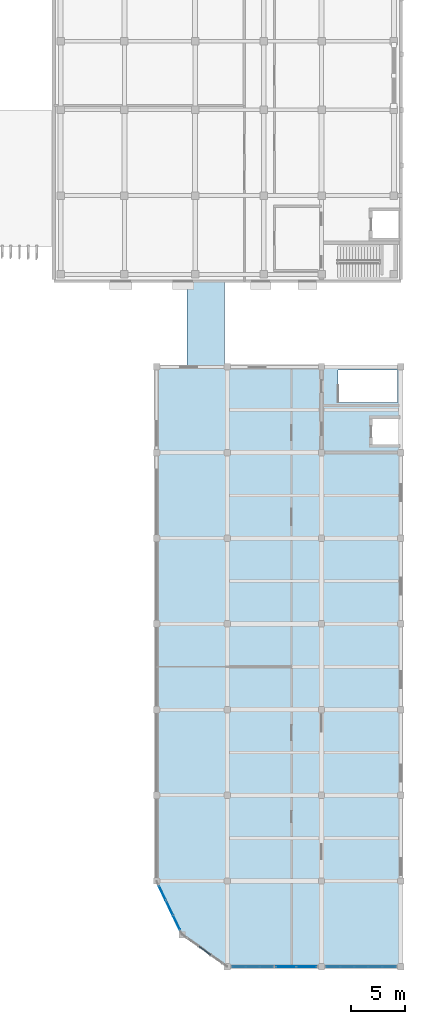
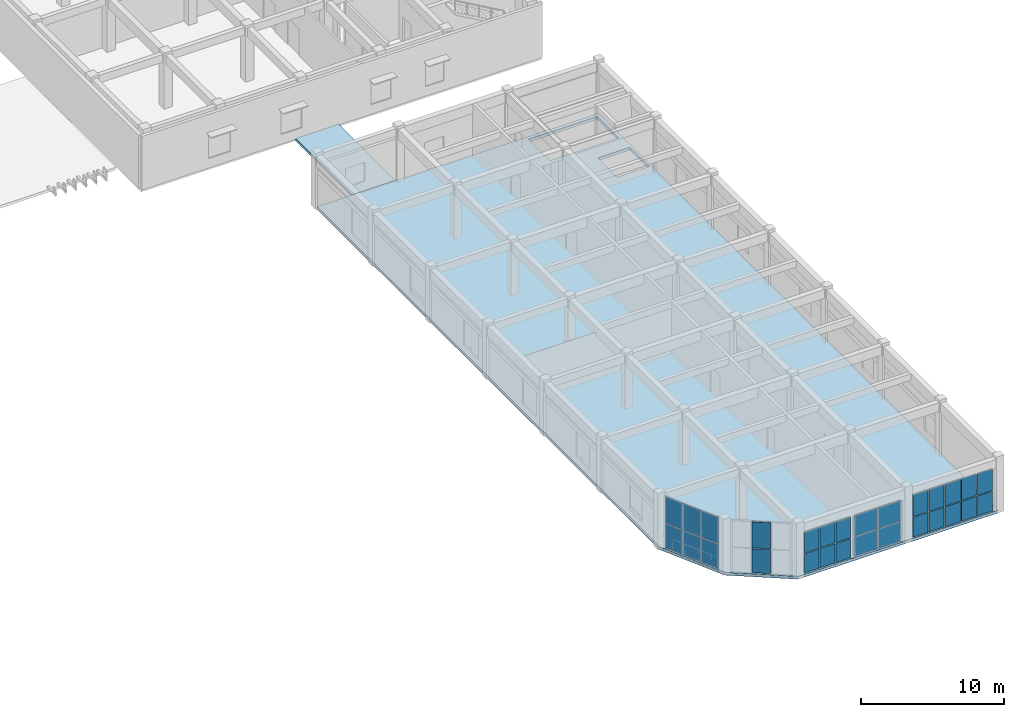
# One storey, part 47 of 76: 28 plates, 2 slabs, 5 elements without a shape of their own.
"""IFC4 building model written with IfcOpenShell, lengths in metres."""

from ifc_helpers import new_model, si_unit, direction, frame, origin, origin_2d, place, context, subcontext, project, spatial, polyline, rectangle, outline, extrude, material, layer, layer_set, type_object, element, aggregate, save


model = new_model("IFC4")

# Units and contexts
model_context = context("Model", 3, precision=1e-05, world=origin(), true_north=direction((0.0, 1.0)))
body_context = subcontext(model_context, "Body", "Model", "MODEL_VIEW")
ifc_project = project(units=[si_unit("LENGTHUNIT", "METRE"), si_unit("AREAUNIT", "SQUARE_METRE"), si_unit("VOLUMEUNIT", "CUBIC_METRE"), si_unit("PLANEANGLEUNIT", "RADIAN"), si_unit("MASSUNIT", "GRAM", prefix="KILO")], contexts=[model_context])

# Site, building, storey
site_placement = place(None, origin())
site = spatial("IfcSite", under=ifc_project, at=site_placement, CompositionType="ELEMENT")
building_placement = place(site_placement, origin())
building = spatial("IfcBuilding", under=site, at=building_placement, Name="Cinchona Park Media Centre", CompositionType="ELEMENT")
storey_placement = place(building_placement, frame((0.0, 0.0, 15.60009765625)))
storey = spatial("IfcBuildingStorey", under=building, at=storey_placement, Name="L03", CompositionType="ELEMENT", Elevation=15.60009765625)

# Curtain wall, plates
ifc_material_1 = material(Name="Aluminium Curtain Wall Framing", Category="aluminium")
ifc_layer_1 = layer(ifc_material_1, 0.284912109375)
ifc_layer_set_1 = layer_set([ifc_layer_1], Name="Aluminium Curtain Wall Framing")
curtain_wall_type_1 = type_object("IfcCurtainWallType", Name="CW-CW08", PredefinedType="USERDEFINED", material=ifc_layer_set_1)
curtain_wall_1_placement = place(storey_placement, origin())
curtain_wall_1 = element("IfcCurtainWall", 1, at=curtain_wall_1_placement, inside=storey, type_object=curtain_wall_type_1, Name="Curtain Wall CW08 L03", ObjectType="UNITISED CURTAIN WALL", PredefinedType="USERDEFINED")
ifc_material_2 = material(Name="Laminated Solar-Control Double Glazing", Category="glass")
ifc_layer_2 = layer(ifc_material_2, 0.050048828125)
ifc_layer_set_2 = layer_set([ifc_layer_2], Name="Laminated Solar-Control Double Glazing")
plate_type_1 = type_object("IfcPlateType", Name="CWPANEL-PNL04", PredefinedType="CURTAIN_PANEL", material=ifc_layer_set_2)
plate_1_placement = place(storey_placement, frame((151.059814453125, 11.725830078125, 0.1201171875), z_axis=(0.0, 0.0, 1.0), x_axis=(-0.432801347319, 0.901489319825, 0.0)))
plate_1 = element("IfcPlate", 2, at=plate_1_placement, type_object=plate_type_1, Name="CW08 panel 1.1", PredefinedType="CURTAIN_PANEL", context=body_context, shape_type="SweptSolid", body=[
    extrude(rectangle(XDim=1.43701171875, YDim=0.050048828125, at=origin_2d()), origin(), (0.0, 0.0, 1.0), 2.056884765625),
])
plate_2_placement = place(storey_placement, frame((151.059814453125, 11.725830078125, 2.2470703125), z_axis=(0.0, 0.0, 1.0), x_axis=(-0.432801347319, 0.901489319825, 0.0)))
plate_2 = element("IfcPlate", 3, at=plate_2_placement, type_object=plate_type_1, Name="CW08 panel 1.2", PredefinedType="CURTAIN_PANEL", context=body_context, shape_type="SweptSolid", body=[
    extrude(rectangle(XDim=1.43701171875, YDim=0.050048828125, at=origin_2d()), origin(), (0.0, 0.0, 1.0), 2.238037109375),
])
plate_3_placement = place(storey_placement, frame((150.39990234375, 13.10009765625, 0.1201171875), z_axis=(0.0, 0.0, 1.0), x_axis=(-0.432801347319, 0.901489319825, 0.0)))
plate_3 = element("IfcPlate", 4, at=plate_3_placement, type_object=plate_type_1, Name="CW08 panel 2.1", PredefinedType="CURTAIN_PANEL", context=body_context, shape_type="SweptSolid", body=[
    extrude(rectangle(XDim=1.471923828125, YDim=0.050048828125, at=origin_2d()), origin(), (0.0, 0.0, 1.0), 2.056884765625),
])
plate_4_placement = place(storey_placement, frame((150.39990234375, 13.10009765625, 2.2470703125), z_axis=(0.0, 0.0, 1.0), x_axis=(-0.432801347319, 0.901489319825, 0.0)))
plate_4 = element("IfcPlate", 5, at=plate_4_placement, type_object=plate_type_1, Name="CW08 panel 2.2", PredefinedType="CURTAIN_PANEL", context=body_context, shape_type="SweptSolid", body=[
    extrude(rectangle(XDim=1.471923828125, YDim=0.050048828125, at=origin_2d()), origin(), (0.0, 0.0, 1.0), 2.238037109375),
])
plate_5_placement = place(storey_placement, frame((149.740234375, 14.47412109375, 0.1201171875), z_axis=(0.0, 0.0, 1.0), x_axis=(-0.432801347319, 0.901489319825, 0.0)))
plate_5 = element("IfcPlate", 6, at=plate_5_placement, type_object=plate_type_1, Name="CW08 panel 3.1", PredefinedType="CURTAIN_PANEL", context=body_context, shape_type="SweptSolid", body=[
    extrude(rectangle(XDim=1.43701171875, YDim=0.050048828125, at=origin_2d()), origin(), (0.0, 0.0, 1.0), 2.056884765625),
])
plate_6_placement = place(storey_placement, frame((149.740234375, 14.47412109375, 2.2470703125), z_axis=(0.0, 0.0, 1.0), x_axis=(-0.432801347319, 0.901489319825, 0.0)))
plate_6 = element("IfcPlate", 7, at=plate_6_placement, type_object=plate_type_1, Name="CW08 panel 3.2", PredefinedType="CURTAIN_PANEL", context=body_context, shape_type="SweptSolid", body=[
    extrude(rectangle(XDim=1.43701171875, YDim=0.050048828125, at=origin_2d()), origin(), (0.0, 0.0, 1.0), 2.238037109375),
])
aggregate(curtain_wall_1, [plate_1, plate_2, plate_3, plate_4, plate_5, plate_6])

ifc_material_3 = material(Name="Aluminium Curtain Wall Framing", Category="aluminium")
ifc_layer_3 = layer(ifc_material_3, 0.300048828125)
ifc_layer_set_3 = layer_set([ifc_layer_3], Name="Aluminium Curtain Wall Framing")
curtain_wall_type_2 = type_object("IfcCurtainWallType", Name="CW-CW09", PredefinedType="USERDEFINED", material=ifc_layer_set_3)
curtain_wall_2_placement = place(storey_placement, origin())
curtain_wall_2 = element("IfcCurtainWall", 8, at=curtain_wall_2_placement, inside=storey, type_object=curtain_wall_type_2, Name="Curtain Wall CW09 L03", ObjectType="UNITISED CURTAIN WALL", PredefinedType="USERDEFINED")
ifc_material_4 = material(Name="Laminated Solar-Control Double Glazing", Category="glass")
ifc_layer_4 = layer(ifc_material_4, 0.06005859375)
ifc_layer_set_4 = layer_set([ifc_layer_4], Name="Laminated Solar-Control Double Glazing")
plate_type_2 = type_object("IfcPlateType", Name="CWPANEL-PNL05", PredefinedType="CURTAIN_PANEL", material=ifc_layer_set_4)
plate_7_placement = place(storey_placement, frame((163.186279296875, 7.60009765625, 0.124755859375), z_axis=(0.0, 0.0, 1.0), x_axis=(-1.0, 0.0, 0.0)))
plate_7 = element("IfcPlate", 9, at=plate_7_placement, type_object=plate_type_2, Name="CW09 panel 1.1", PredefinedType="CURTAIN_PANEL", context=body_context, shape_type="SweptSolid", body=[
    extrude(rectangle(XDim=1.83740234375, YDim=0.06005859375, at=origin_2d()), origin(), (0.0, 0.0, 1.0), 1.6416015625),
])
plate_8_placement = place(storey_placement, frame((163.186279296875, 7.60009765625, 1.84130859375), z_axis=(0.0, 0.0, 1.0), x_axis=(-1.0, 0.0, 0.0)))
plate_8 = element("IfcPlate", 10, at=plate_8_placement, type_object=plate_type_2, Name="CW09 panel 1.2", PredefinedType="CURTAIN_PANEL", context=body_context, shape_type="SweptSolid", body=[
    extrude(rectangle(XDim=1.83740234375, YDim=0.06005859375, at=origin_2d()), origin(), (0.0, 0.0, 1.0), 1.78857421875),
])
plate_9_placement = place(storey_placement, frame((161.273681640625, 7.60009765625, 0.124755859375), z_axis=(0.0, 0.0, 1.0), x_axis=(-1.0, 0.0, 0.0)))
plate_9 = element("IfcPlate", 11, at=plate_9_placement, type_object=plate_type_2, Name="CW09 panel 2.1", PredefinedType="CURTAIN_PANEL", context=body_context, shape_type="SweptSolid", body=[
    extrude(rectangle(XDim=1.83740234375, YDim=0.06005859375, at=origin_2d()), origin(), (0.0, 0.0, 1.0), 1.6416015625),
])
plate_10_placement = place(storey_placement, frame((161.273681640625, 7.60009765625, 1.84130859375), z_axis=(0.0, 0.0, 1.0), x_axis=(-1.0, 0.0, 0.0)))
plate_10 = element("IfcPlate", 12, at=plate_10_placement, type_object=plate_type_2, Name="CW09 panel 2.2", PredefinedType="CURTAIN_PANEL", context=body_context, shape_type="SweptSolid", body=[
    extrude(rectangle(XDim=1.83740234375, YDim=0.06005859375, at=origin_2d()), origin(), (0.0, 0.0, 1.0), 1.78857421875),
])
aggregate(curtain_wall_2, [plate_7, plate_8, plate_9, plate_10])

ifc_material_5 = material(Name="Aluminium Curtain Wall Framing", Category="aluminium")
ifc_layer_5 = layer(ifc_material_5, 0.179931640625)
ifc_layer_set_5 = layer_set([ifc_layer_5], Name="Aluminium Curtain Wall Framing")
curtain_wall_type_3 = type_object("IfcCurtainWallType", Name="CW-CW01", PredefinedType="USERDEFINED", material=ifc_layer_set_5)
curtain_wall_3_placement = place(storey_placement, origin())
curtain_wall_3 = element("IfcCurtainWall", 13, at=curtain_wall_3_placement, inside=storey, type_object=curtain_wall_type_3, Name="Curtain Wall CW01 L03", ObjectType="UNITISED CURTAIN WALL", PredefinedType="USERDEFINED")
ifc_material_6 = material(Name="Laminated Solar-Control Double Glazing", Category="glass")
ifc_layer_6 = layer(ifc_material_6, 0.080078125)
ifc_layer_set_6 = layer_set([ifc_layer_6], Name="Laminated Solar-Control Double Glazing")
plate_type_3 = type_object("IfcPlateType", Name="CWPANEL-PNL07", PredefinedType="CURTAIN_PANEL", material=ifc_layer_set_6)
plate_11_placement = place(storey_placement, frame((159.451171875, 7.60009765625, 0.124755859375), z_axis=(0.0, 0.0, 1.0), x_axis=(-1.0, 0.0, 0.0)))
plate_11 = element("IfcPlate", 14, at=plate_11_placement, type_object=plate_type_3, Name="CW01 panel 1.1", PredefinedType="CURTAIN_PANEL", context=body_context, shape_type="SweptSolid", body=[
    extrude(rectangle(XDim=1.1875, YDim=0.080078125, at=origin_2d()), origin(), (0.0, 0.0, 1.0), 1.6416015625),
])
plate_12_placement = place(storey_placement, frame((159.451171875, 7.60009765625, 1.84130859375), z_axis=(0.0, 0.0, 1.0), x_axis=(-1.0, 0.0, 0.0)))
plate_12 = element("IfcPlate", 15, at=plate_12_placement, type_object=plate_type_3, Name="CW01 panel 1.2", PredefinedType="CURTAIN_PANEL", context=body_context, shape_type="SweptSolid", body=[
    extrude(rectangle(XDim=1.1875, YDim=0.080078125, at=origin_2d()), origin(), (0.0, 0.0, 1.0), 1.78857421875),
])
plate_13_placement = place(storey_placement, frame((158.169921875, 7.60009765625, 0.124755859375), z_axis=(0.0, 0.0, 1.0), x_axis=(-1.0, 0.0, 0.0)))
plate_13 = element("IfcPlate", 16, at=plate_13_placement, type_object=plate_type_3, Name="CW01 panel 2.1", PredefinedType="CURTAIN_PANEL", context=body_context, shape_type="SweptSolid", body=[
    extrude(rectangle(XDim=1.22509765625, YDim=0.080078125, at=origin_2d()), origin(), (0.0, 0.0, 1.0), 1.6416015625),
])
plate_14_placement = place(storey_placement, frame((158.169921875, 7.60009765625, 1.84130859375), z_axis=(0.0, 0.0, 1.0), x_axis=(-1.0, 0.0, 0.0)))
plate_14 = element("IfcPlate", 17, at=plate_14_placement, type_object=plate_type_3, Name="CW01 panel 2.2", PredefinedType="CURTAIN_PANEL", context=body_context, shape_type="SweptSolid", body=[
    extrude(rectangle(XDim=1.22509765625, YDim=0.080078125, at=origin_2d()), origin(), (0.0, 0.0, 1.0), 1.78857421875),
])
plate_15_placement = place(storey_placement, frame((156.888671875, 7.60009765625, 0.124755859375), z_axis=(0.0, 0.0, 1.0), x_axis=(-1.0, 0.0, 0.0)))
plate_15 = element("IfcPlate", 18, at=plate_15_placement, type_object=plate_type_3, Name="CW01 panel 3.1", PredefinedType="CURTAIN_PANEL", context=body_context, shape_type="SweptSolid", body=[
    extrude(rectangle(XDim=1.1875, YDim=0.080078125, at=origin_2d()), origin(), (0.0, 0.0, 1.0), 1.6416015625),
])
plate_16_placement = place(storey_placement, frame((156.888671875, 7.60009765625, 1.84130859375), z_axis=(0.0, 0.0, 1.0), x_axis=(-1.0, 0.0, 0.0)))
plate_16 = element("IfcPlate", 19, at=plate_16_placement, type_object=plate_type_3, Name="CW01 panel 3.2", PredefinedType="CURTAIN_PANEL", context=body_context, shape_type="SweptSolid", body=[
    extrude(rectangle(XDim=1.1875, YDim=0.080078125, at=origin_2d()), origin(), (0.0, 0.0, 1.0), 1.78857421875),
])
aggregate(curtain_wall_3, [plate_11, plate_12, plate_13, plate_14, plate_15, plate_16])

ifc_material_7 = material(Name="Aluminium Curtain Wall Framing", Category="aluminium")
ifc_layer_7 = layer(ifc_material_7, 0.195068359375)
ifc_layer_set_7 = layer_set([ifc_layer_7], Name="Aluminium Curtain Wall Framing")
curtain_wall_type_4 = type_object("IfcCurtainWallType", Name="CW-CW02", PredefinedType="USERDEFINED", material=ifc_layer_set_7)
curtain_wall_4_placement = place(storey_placement, origin())
curtain_wall_4 = element("IfcCurtainWall", 20, at=curtain_wall_4_placement, inside=storey, type_object=curtain_wall_type_4, Name="Curtain Wall CW02 L03", ObjectType="UNITISED CURTAIN WALL", PredefinedType="USERDEFINED")
ifc_material_8 = material(Name="Insulated Acoustic Aluminium-Glass Spandrel Cassette", Category="aluminium")
ifc_layer_8 = layer(ifc_material_8, 0.090087890625)
ifc_layer_set_8 = layer_set([ifc_layer_8], Name="Insulated Acoustic Aluminium-Glass Spandrel Cassette")
plate_type_4 = type_object("IfcPlateType", Name="CWPANEL-PNL08", PredefinedType="CURTAIN_PANEL", material=ifc_layer_set_8)
plate_17_placement = place(storey_placement, frame((170.906494140625, 7.60009765625, 0.1201171875), z_axis=(0.0, 0.0, 1.0), x_axis=(-1.0, 0.0, 0.0)))
plate_17 = element("IfcPlate", 21, at=plate_17_placement, type_object=plate_type_4, Name="CW02 panel 1.1", PredefinedType="CURTAIN_PANEL", context=body_context, shape_type="SweptSolid", body=[
    extrude(rectangle(XDim=1.20703125, YDim=0.090087890625, at=origin_2d()), origin(), (0.0, 0.0, 1.0), 1.697021484375),
])
plate_18_placement = place(storey_placement, frame((170.906494140625, 7.60009765625, 1.88671875), z_axis=(0.0, 0.0, 1.0), x_axis=(-1.0, 0.0, 0.0)))
plate_18 = element("IfcPlate", 22, at=plate_18_placement, type_object=plate_type_4, Name="CW02 panel 1.2", PredefinedType="CURTAIN_PANEL", context=body_context, shape_type="SweptSolid", body=[
    extrude(rectangle(XDim=1.20703125, YDim=0.090087890625, at=origin_2d()), origin(), (0.0, 0.0, 1.0), 1.847900390625),
])
plate_19_placement = place(storey_placement, frame((169.612060546875, 7.60009765625, 0.1201171875), z_axis=(0.0, 0.0, 1.0), x_axis=(-1.0, 0.0, 0.0)))
plate_19 = element("IfcPlate", 23, at=plate_19_placement, type_object=plate_type_4, Name="CW02 panel 2.1", PredefinedType="CURTAIN_PANEL", context=body_context, shape_type="SweptSolid", body=[
    extrude(rectangle(XDim=1.241943359375, YDim=0.090087890625, at=origin_2d()), origin(), (0.0, 0.0, 1.0), 1.697021484375),
])
plate_20_placement = place(storey_placement, frame((169.612060546875, 7.60009765625, 1.88671875), z_axis=(0.0, 0.0, 1.0), x_axis=(-1.0, 0.0, 0.0)))
plate_20 = element("IfcPlate", 24, at=plate_20_placement, type_object=plate_type_4, Name="CW02 panel 2.2", PredefinedType="CURTAIN_PANEL", context=body_context, shape_type="SweptSolid", body=[
    extrude(rectangle(XDim=1.241943359375, YDim=0.090087890625, at=origin_2d()), origin(), (0.0, 0.0, 1.0), 1.847900390625),
])
plate_21_placement = place(storey_placement, frame((168.300048828125, 7.60009765625, 0.1201171875), z_axis=(0.0, 0.0, 1.0), x_axis=(-1.0, 0.0, 0.0)))
plate_21 = element("IfcPlate", 25, at=plate_21_placement, type_object=plate_type_4, Name="CW02 panel 3.1", PredefinedType="CURTAIN_PANEL", context=body_context, shape_type="SweptSolid", body=[
    extrude(rectangle(XDim=1.241943359375, YDim=0.090087890625, at=origin_2d()), origin(), (0.0, 0.0, 1.0), 1.697021484375),
])
plate_22_placement = place(storey_placement, frame((168.300048828125, 7.60009765625, 1.88671875), z_axis=(0.0, 0.0, 1.0), x_axis=(-1.0, 0.0, 0.0)))
plate_22 = element("IfcPlate", 26, at=plate_22_placement, type_object=plate_type_4, Name="CW02 panel 3.2", PredefinedType="CURTAIN_PANEL", context=body_context, shape_type="SweptSolid", body=[
    extrude(rectangle(XDim=1.241943359375, YDim=0.090087890625, at=origin_2d()), origin(), (0.0, 0.0, 1.0), 1.847900390625),
])
plate_23_placement = place(storey_placement, frame((166.988037109375, 7.60009765625, 0.1201171875), z_axis=(0.0, 0.0, 1.0), x_axis=(-1.0, 0.0, 0.0)))
plate_23 = element("IfcPlate", 27, at=plate_23_placement, type_object=plate_type_4, Name="CW02 panel 4.1", PredefinedType="CURTAIN_PANEL", context=body_context, shape_type="SweptSolid", body=[
    extrude(rectangle(XDim=1.241943359375, YDim=0.090087890625, at=origin_2d()), origin(), (0.0, 0.0, 1.0), 1.697021484375),
])
plate_24_placement = place(storey_placement, frame((166.988037109375, 7.60009765625, 1.88671875), z_axis=(0.0, 0.0, 1.0), x_axis=(-1.0, 0.0, 0.0)))
plate_24 = element("IfcPlate", 28, at=plate_24_placement, type_object=plate_type_4, Name="CW02 panel 4.2", PredefinedType="CURTAIN_PANEL", context=body_context, shape_type="SweptSolid", body=[
    extrude(rectangle(XDim=1.241943359375, YDim=0.090087890625, at=origin_2d()), origin(), (0.0, 0.0, 1.0), 1.847900390625),
])
plate_25_placement = place(storey_placement, frame((165.693603515625, 7.60009765625, 0.1201171875), z_axis=(0.0, 0.0, 1.0), x_axis=(-1.0, 0.0, 0.0)))
plate_25 = element("IfcPlate", 29, at=plate_25_placement, type_object=plate_type_4, Name="CW02 panel 5.1", PredefinedType="CURTAIN_PANEL", context=body_context, shape_type="SweptSolid", body=[
    extrude(rectangle(XDim=1.20703125, YDim=0.090087890625, at=origin_2d()), origin(), (0.0, 0.0, 1.0), 1.697021484375),
])
plate_26_placement = place(storey_placement, frame((165.693603515625, 7.60009765625, 1.88671875), z_axis=(0.0, 0.0, 1.0), x_axis=(-1.0, 0.0, 0.0)))
plate_26 = element("IfcPlate", 30, at=plate_26_placement, type_object=plate_type_4, Name="CW02 panel 5.2", PredefinedType="CURTAIN_PANEL", context=body_context, shape_type="SweptSolid", body=[
    extrude(rectangle(XDim=1.20703125, YDim=0.090087890625, at=origin_2d()), origin(), (0.0, 0.0, 1.0), 1.847900390625),
])
aggregate(curtain_wall_4, [plate_17, plate_18, plate_19, plate_20, plate_21, plate_22, plate_23, plate_24, plate_25, plate_26])

ifc_material_9 = material(Name="Aluminium Curtain Wall Framing", Category="aluminium")
ifc_layer_9 = layer(ifc_material_9, 0.2099609375)
ifc_layer_set_9 = layer_set([ifc_layer_9], Name="Aluminium Curtain Wall Framing")
curtain_wall_type_5 = type_object("IfcCurtainWallType", Name="CW-CW03", PredefinedType="USERDEFINED", material=ifc_layer_set_9)
curtain_wall_5_placement = place(storey_placement, origin())
curtain_wall_5 = element("IfcCurtainWall", 31, at=curtain_wall_5_placement, inside=storey, type_object=curtain_wall_type_5, Name="Curtain Wall CW03 L03", ObjectType="UNITISED CURTAIN WALL", PredefinedType="USERDEFINED")
plate_27_placement = place(storey_placement, frame((153.699951171875, 9.10009765625, 0.125), z_axis=(0.0, 0.0, 1.0), x_axis=(-0.813604858776, 0.581418209016, 0.0)))
plate_27 = element("IfcPlate", 32, at=plate_27_placement, type_object=plate_type_4, Name="CW03 panel 2.1", PredefinedType="CURTAIN_PANEL", context=body_context, shape_type="SweptSolid", body=[
    extrude(rectangle(XDim=1.326171875, YDim=0.090087890625, at=origin_2d()), origin(), (0.0, 0.0, 1.0), 2.049560546875),
])
plate_28_placement = place(storey_placement, frame((153.699951171875, 9.10009765625, 2.24951171875), z_axis=(0.0, 0.0, 1.0), x_axis=(-0.813604858776, 0.581418209016, 0.0)))
plate_28 = element("IfcPlate", 33, at=plate_28_placement, type_object=plate_type_4, Name="CW03 panel 2.2", PredefinedType="CURTAIN_PANEL", context=body_context, shape_type="SweptSolid", body=[
    extrude(rectangle(XDim=1.326171875, YDim=0.090087890625, at=origin_2d()), origin(), (0.0, 0.0, 1.0), 2.23046875),
])
aggregate(curtain_wall_5, [plate_27, plate_28])

# Slabs
ifc_material_10 = material(Name="Concrete C35/45", Category="concrete")
ifc_layer_10 = layer(ifc_material_10, 0.195068359375)
ifc_layer_set_10 = layer_set([ifc_layer_10], Name="Concrete C35/45")
slab_type_1 = type_object("IfcSlabType", Name="SLAB-RS03-195", PredefinedType="ROOF", material=ifc_layer_set_10)
slab_1_placement = place(storey_placement, frame((0.0, 0.0, -0.195068359375)))
element("IfcSlab", 34, at=slab_1_placement, inside=storey, type_object=slab_type_1, Name="Skybridge Roof Slab SB2", PredefinedType="ROOF", context=body_context, shape_type="SweptSolid", body=[
    extrude(outline(polyline([(152.050048828125, 63.6201171875), (155.550048828125, 63.6201171875), (155.550048828125, 71.580078125), (152.050048828125, 71.580078125), (152.050048828125, 63.6201171875)])), origin(), (0.0, 0.0, 1.0), 0.195068359375),
])
ifc_material_11 = material(Name="Concrete C35/45", Category="concrete")
ifc_layer_11 = layer(ifc_material_11, 0.25)
ifc_layer_set_11 = layer_set([ifc_layer_11], Name="Concrete C35/45")
slab_type_2 = type_object("IfcSlabType", Name="SLAB-SL06-250", PredefinedType="FLOOR", material=ifc_layer_set_11)
slab_2_placement = place(storey_placement, frame((0.0, 0.0, -0.25)))
element("IfcSlab", 35, at=slab_2_placement, inside=storey, type_object=slab_type_2, Name="Media Library Book Stacks Floor Slab V6 L03", PredefinedType="FLOOR", context=body_context, shape_type="SweptSolid", body=[
    extrude(outline(polyline([(155.800048828125, 7.60009765625), (172.0, 7.60009765625), (172.0, 63.60009765625), (149.199951171875, 63.60009765625), (149.199951171875, 15.60009765625), (151.60009765625, 10.60009765625), (155.800048828125, 7.60009765625)]), holes=[polyline([(166.135009765625, 60.300048828125), (171.699951171875, 60.300048828125), (171.699951171875, 63.300048828125), (166.135009765625, 63.300048828125), (166.135009765625, 60.300048828125)]), polyline([(169.199951171875, 56.199951171875), (171.800048828125, 56.199951171875), (171.800048828125, 58.89990234375), (169.199951171875, 58.89990234375), (169.199951171875, 56.199951171875)])]), origin(), (0.0, 0.0, 1.0), 0.25),
])

save(model, "model.ifc")
